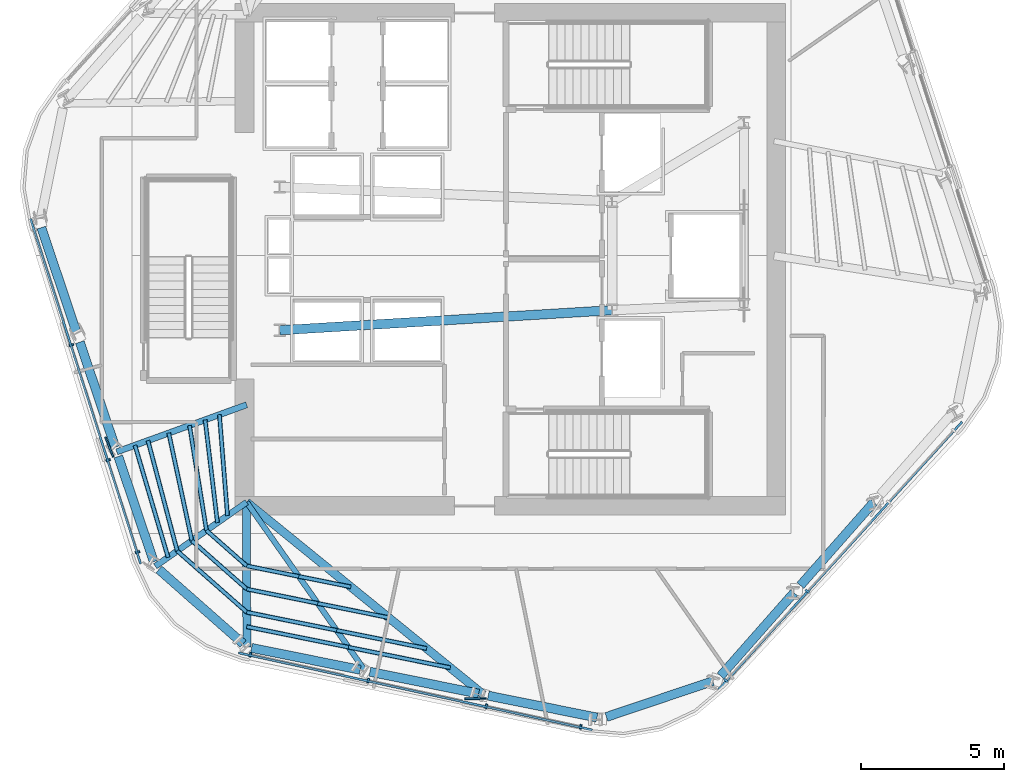
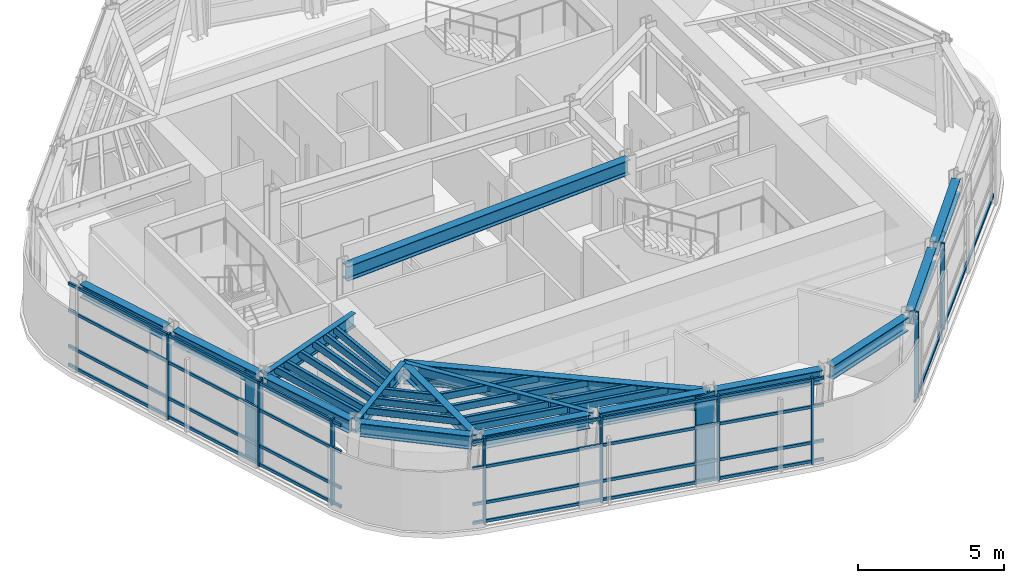
# One storey, part 2 of 13: 37 members, 16 beams, 3 elements without a shape of their own.
"""IFC4 building model written with IfcOpenShell, lengths in metres."""

from ifc_helpers import new_model, si_unit, direction, frame, origin, origin_2d, place, context, subcontext, project, spatial, rectangle, hollow_rectangle, i_section, extrude, material, layer, layer_set, material_profile, profile_set, type_object, element, aggregate, save


model = new_model("IFC4")

# Units and contexts
model_context = context("Model", 3, precision=1e-05, world=origin(), true_north=direction((0.0, 1.0)))
body_context = subcontext(model_context, "Body", "Model", "MODEL_VIEW")
ifc_project = project(units=[si_unit("LENGTHUNIT", "METRE"), si_unit("AREAUNIT", "SQUARE_METRE"), si_unit("VOLUMEUNIT", "CUBIC_METRE"), si_unit("PLANEANGLEUNIT", "RADIAN"), si_unit("MASSUNIT", "GRAM", prefix="KILO")], contexts=[model_context])

# Site, building, storey
site_placement = place(None, origin())
site = spatial("IfcSite", under=ifc_project, at=site_placement, CompositionType="ELEMENT")
building_placement = place(site_placement, origin())
building = spatial("IfcBuilding", under=site, at=building_placement, Name="Valkerne Bourse Tower", CompositionType="ELEMENT")
storey_placement = place(building_placement, frame((0.0, 0.0, 228.39990234375)))
storey = spatial("IfcBuildingStorey", under=building, at=storey_placement, Name="L58", CompositionType="ELEMENT", Elevation=228.39990234375)

# Beams
ifc_material_1 = material(Name="Steel ASTM A992", Category="steel")
ifc_material_profile_1 = material_profile(ifc_material_1, i_section(OverallWidth=0.1904296875, OverallDepth=0.457275390625, WebThickness=0.009033203125, FlangeThickness=0.014404296875, FilletRadius=0.01513671875, at=origin_2d()), Name="W18X50")
ifc_profile_set_1 = profile_set([ifc_material_profile_1], Name="Steel ASTM A992")
beam_type_1 = type_object("IfcBeamType", Name="BM-W18X50", PredefinedType="JOIST", material=ifc_profile_set_1)
beam_1_placement = place(storey_placement, frame((41.7314453125, 12.517333984375, 3.37158203125), z_axis=(-0.574726736059, 0.818345390932, 0.0), x_axis=(-0.818345390932, -0.574726736059, 0.0)))
element("IfcBeam", 1, at=beam_1_placement, inside=storey, type_object=beam_type_1, Name="L58 Radial Composite Floor Beam 13", PredefinedType="JOIST", context=body_context, shape_type="SweptSolid", body=[
    extrude(i_section(OverallWidth=0.1904296875, OverallDepth=0.457275390625, WebThickness=0.009033203125, FlangeThickness=0.014404296875, FilletRadius=0.01513671875, at=origin_2d()), origin(), (0.0, 0.0, 1.0), 7.1884765625),
])
ifc_material_profile_2 = material_profile(ifc_material_1, i_section(OverallWidth=0.279296875, OverallDepth=0.46240234375, WebThickness=0.0107421875, FlangeThickness=0.017333984375, FilletRadius=0.017822265625, at=origin_2d()), Name="W18X76")
ifc_profile_set_2 = profile_set([ifc_material_profile_2], Name="Steel ASTM A992")
beam_type_2 = type_object("IfcBeamType", Name="BM-W18X76", PredefinedType="BEAM", material=ifc_profile_set_2)
beam_2_placement = place(storey_placement, frame((37.6025390625, 13.349853515625, 3.368896484375), z_axis=(-0.000483442051, 0.999999883142, 0.0), x_axis=(-0.999999883142, -0.000483442051, 0.0)))
element("IfcBeam", 2, at=beam_2_placement, inside=storey, type_object=beam_type_2, Name="L58 Radial Composite Floor Beam 12", PredefinedType="BEAM", context=body_context, shape_type="SweptSolid", body=[
    extrude(i_section(OverallWidth=0.279296875, OverallDepth=0.46240234375, WebThickness=0.0107421875, FlangeThickness=0.017333984375, FilletRadius=0.017822265625, at=origin_2d()), origin(), (0.0, 0.0, 1.0), 5.050048828125),
])
ifc_material_profile_3 = material_profile(ifc_material_1, i_section(OverallWidth=0.31494140625, OverallDepth=0.5537109375, WebThickness=0.0166015625, FlangeThickness=0.026123046875, FilletRadius=0.020263671875, at=origin_2d()), Name="W21X132")
ifc_profile_set_3 = profile_set([ifc_material_profile_3], Name="Steel ASTM A992")
beam_type_3 = type_object("IfcBeamType", Name="BM-W21X132", PredefinedType="BEAM", material=ifc_profile_set_3)
for number, where, z_axis, x_axis, name in (
    (3, (30.43408203125, 27.97900390625, 3.3232421875), (0.318988173822, -0.947758695535, 0.0), (0.947758695535, 0.318988173822, 0.0), "L58 Hexagonal Spandrel Ring Beam 08"),
    (4, (31.777587890625, 23.987060546875, 3.3232421875), (0.318988173822, -0.947758695535, 0.0), (0.947758695535, 0.318988173822, 0.0), "L58 Hexagonal Spandrel Ring Beam 09"),
    (5, (33.12109375, 19.9951171875, 3.3232421875), (0.31896911229, -0.947765110882, 0.0), (0.947765110882, 0.31896911229, 0.0), "L58 Hexagonal Spandrel Ring Beam 10"),
):
    element("IfcBeam", number, at=place(storey_placement, frame(where, z_axis=z_axis, x_axis=x_axis)), inside=storey, type_object=beam_type_3, Name=name, PredefinedType="BEAM", context=body_context, shape_type="SweptSolid", body=[
        extrude(i_section(OverallWidth=0.31494140625, OverallDepth=0.5537109375, WebThickness=0.0166015625, FlangeThickness=0.026123046875, FilletRadius=0.020263671875, at=origin_2d()), origin(), (0.0, 0.0, 1.0), 3.8720703125),
    ])
beam_3_placement = place(storey_placement, frame((34.537841796875, 16.0517578125, 3.3232421875), z_axis=(0.750134367688, -0.661285437927, 0.0), x_axis=(0.661285437927, 0.750134367688, 0.0)))
element("IfcBeam", 6, at=beam_3_placement, inside=storey, type_object=beam_type_3, Name="L58 Hexagonal Spandrel Ring Beam 11", PredefinedType="BEAM", context=body_context, shape_type="SweptSolid", body=[
    extrude(i_section(OverallWidth=0.31494140625, OverallDepth=0.5537109375, WebThickness=0.0166015625, FlangeThickness=0.026123046875, FilletRadius=0.020263671875, at=origin_2d()), origin(), (0.0, 0.0, 1.0), 3.91552734375),
])
for number, where, z_axis, x_axis, name in (
    (7, (37.76904296875, 13.31640625, 3.3232421875), (0.980269037693, -0.19766793807, 0.0), (0.19766793807, 0.980269037693, 0.0), "L58 Hexagonal Spandrel Ring Beam 12"),
    (8, (41.89794921875, 12.48388671875, 3.3232421875), (0.980269037693, -0.19766793807, 0.0), (0.19766793807, 0.980269037693, 0.0), "L58 Hexagonal Spandrel Ring Beam 13"),
    (9, (46.02685546875, 11.651123046875, 3.3232421875), (0.980281253412, -0.197607348568, 0.0), (0.197607348568, 0.980281253412, 0.0), "L58 Hexagonal Spandrel Ring Beam 14"),
):
    element("IfcBeam", number, at=place(storey_placement, frame(where, z_axis=z_axis, x_axis=x_axis)), inside=storey, type_object=beam_type_3, Name=name, PredefinedType="BEAM", context=body_context, shape_type="SweptSolid", body=[
        extrude(i_section(OverallWidth=0.31494140625, OverallDepth=0.5537109375, WebThickness=0.0166015625, FlangeThickness=0.026123046875, FilletRadius=0.020263671875, at=origin_2d()), origin(), (0.0, 0.0, 1.0), 3.8720703125),
    ])
beam_4_placement = place(storey_placement, frame((50.150390625, 10.906494140625, 3.3232421875), z_axis=(0.947762787395, 0.318976016072, 0.0), x_axis=(-0.318976016072, 0.947762787395, 0.0)))
element("IfcBeam", 10, at=beam_4_placement, inside=storey, type_object=beam_type_3, Name="L58 Hexagonal Spandrel Ring Beam 15", PredefinedType="BEAM", context=body_context, shape_type="SweptSolid", body=[
    extrude(i_section(OverallWidth=0.31494140625, OverallDepth=0.5537109375, WebThickness=0.0166015625, FlangeThickness=0.026123046875, FilletRadius=0.020263671875, at=origin_2d()), origin(), (0.0, 0.0, 1.0), 3.915771484375),
])
beam_5_placement = place(storey_placement, frame((54.135009765625, 12.337158203125, 3.3232421875), z_axis=(0.661289997078, 0.750130348516, 0.0), x_axis=(-0.750130348516, 0.661289997078, 0.0)))
element("IfcBeam", 11, at=beam_5_placement, inside=storey, type_object=beam_type_3, Name="L58 Hexagonal Spandrel Ring Beam 16", PredefinedType="BEAM", context=body_context, shape_type="SweptSolid", body=[
    extrude(i_section(OverallWidth=0.31494140625, OverallDepth=0.5537109375, WebThickness=0.0166015625, FlangeThickness=0.026123046875, FilletRadius=0.020263671875, at=origin_2d()), origin(), (0.0, 0.0, 1.0), 3.8720703125),
])
beam_6_placement = place(storey_placement, frame((56.92041015625, 15.49658203125, 3.3232421875), z_axis=(0.661325473971, 0.750099071774, 0.0), x_axis=(-0.750099071774, 0.661325473971, 0.0)))
element("IfcBeam", 12, at=beam_6_placement, inside=storey, type_object=beam_type_3, Name="L58 Hexagonal Spandrel Ring Beam 17", PredefinedType="BEAM", context=body_context, shape_type="SweptSolid", body=[
    extrude(i_section(OverallWidth=0.31494140625, OverallDepth=0.5537109375, WebThickness=0.0166015625, FlangeThickness=0.026123046875, FilletRadius=0.020263671875, at=origin_2d()), origin(), (0.0, 0.0, 1.0), 3.872314453125),
])
ifc_material_profile_4 = material_profile(ifc_material_1, i_section(OverallWidth=0.209228515625, OverallDepth=0.533447265625, WebThickness=0.01025390625, FlangeThickness=0.015625, FilletRadius=0.017822265625, at=origin_2d()), Name="W21X62")
ifc_profile_set_4 = profile_set([ifc_material_profile_4], Name="Steel ASTM A992")
beam_type_4 = type_object("IfcBeamType", Name="BM-W21X62", PredefinedType="JOIST", material=ifc_profile_set_4)
beam_7_placement = place(storey_placement, frame((34.410400390625, 16.164306640625, 3.33349609375), z_axis=(0.818893146126, 0.573946003756, 0.0), x_axis=(-0.573946003756, 0.818893146126, 0.0)))
element("IfcBeam", 13, at=beam_7_placement, inside=storey, type_object=beam_type_4, Name="L58 Radial Composite Floor Beam 11", PredefinedType="JOIST", context=body_context, shape_type="SweptSolid", body=[
    extrude(i_section(OverallWidth=0.209228515625, OverallDepth=0.533447265625, WebThickness=0.01025390625, FlangeThickness=0.015625, FilletRadius=0.017822265625, at=origin_2d()), origin(), (0.0, 0.0, 1.0), 3.89501953125),
])
ifc_material_profile_5 = material_profile(ifc_material_1, i_section(OverallWidth=0.2138671875, OverallDepth=0.548583984375, WebThickness=0.0146484375, FlangeThickness=0.023681640625, FilletRadius=0.017822265625, at=origin_2d()), Name="W21X93")
ifc_profile_set_5 = profile_set([ifc_material_profile_5], Name="Steel ASTM A992")
beam_type_5 = type_object("IfcBeamType", Name="BM-W21X93", PredefinedType="BEAM", material=ifc_profile_set_5)
beam_8_placement = place(storey_placement, frame((33.06689453125, 20.15625, 3.32568359375), z_axis=(0.940101994667, 0.340893296537, 0.0), x_axis=(-0.340893296537, 0.940101994667, 0.0)))
element("IfcBeam", 14, at=beam_8_placement, inside=storey, type_object=beam_type_5, Name="L58 Radial Composite Floor Beam 10", PredefinedType="BEAM", context=body_context, shape_type="SweptSolid", body=[
    extrude(i_section(OverallWidth=0.2138671875, OverallDepth=0.548583984375, WebThickness=0.0146484375, FlangeThickness=0.023681640625, FilletRadius=0.017822265625, at=origin_2d()), origin(), (0.0, 0.0, 1.0), 4.822021484375),
])
ifc_material_profile_6 = material_profile(ifc_material_1, i_section(OverallWidth=0.3251953125, OverallDepth=0.612060546875, WebThickness=0.0126953125, FlangeThickness=0.01904296875, FilletRadius=0.020263671875, at=origin_2d()), Name="W24X104")
ifc_profile_set_6 = profile_set([ifc_material_profile_6], Name="Steel ASTM A992")
beam_type_6 = type_object("IfcBeamType", Name="BM-W24X104", PredefinedType="BEAM", material=ifc_profile_set_6)
beam_9_placement = place(storey_placement, frame((38.75, 24.39990234375, 3.294189453125), z_axis=(0.998183228389, 0.060251494276, 0.0), x_axis=(-0.060251494276, 0.998183228389, 0.0)))
element("IfcBeam", 15, at=beam_9_placement, inside=storey, type_object=beam_type_6, Name="L58 Core Frame Girder CG-SW", PredefinedType="BEAM", context=body_context, shape_type="SweptSolid", body=[
    extrude(i_section(OverallWidth=0.3251953125, OverallDepth=0.612060546875, WebThickness=0.0126953125, FlangeThickness=0.01904296875, FilletRadius=0.020263671875, at=origin_2d()), origin(), (0.0, 0.0, 1.0), 11.62109375),
])
ifc_material_profile_7 = material_profile(ifc_material_1, i_section(OverallWidth=0.2919921875, OverallDepth=0.8583984375, WebThickness=0.01708984375, FlangeThickness=0.031005859375, FilletRadius=0.025390625, at=origin_2d()), Name="W33X169")
ifc_profile_set_7 = profile_set([ifc_material_profile_7], Name="Steel ASTM A992")
beam_type_7 = type_object("IfcBeamType", Name="BM-W33X169", PredefinedType="BEAM", material=ifc_profile_set_7)
beam_10_placement = place(storey_placement, frame((45.8603515625, 11.684814453125, 3.1708984375), z_axis=(-0.775947013811, 0.630798091118, 0.0), x_axis=(-0.630798091118, -0.775947013811, 0.0)))
element("IfcBeam", 16, at=beam_10_placement, inside=storey, type_object=beam_type_7, Name="L58 Radial Composite Floor Beam 14", PredefinedType="BEAM", context=body_context, shape_type="SweptSolid", body=[
    extrude(i_section(OverallWidth=0.2919921875, OverallDepth=0.8583984375, WebThickness=0.01708984375, FlangeThickness=0.031005859375, FilletRadius=0.025390625, at=origin_2d()), origin(), (0.0, 0.0, 1.0), 10.645263671875),
])

# Curtain wall, members
ifc_material_2 = material(Name="Aluminium AA 6063-T6", Category="aluminium")
ifc_layer = layer(ifc_material_2, 0.239990234375)
ifc_layer_set = layer_set([ifc_layer], Name="Aluminium AA 6063-T6")
curtain_wall_type = type_object("IfcCurtainWallType", Name="CW-04", PredefinedType="NOTDEFINED", material=ifc_layer_set)
curtain_wall_1_placement = place(storey_placement, origin())
curtain_wall_1 = element("IfcCurtainWall", 17, at=curtain_wall_1_placement, inside=storey, type_object=curtain_wall_type, Name="L58 Hexagonal Stick Curtain Wall Face 3", PredefinedType="NOTDEFINED")
ifc_material_profile_8 = material_profile(ifc_material_2, rectangle(XDim=0.074951171875, YDim=0.159912109375, at=origin_2d()), Name="CWM-75X160")
ifc_profile_set_8 = profile_set([ifc_material_profile_8], Name="Aluminium AA 6063-T6")
member_type_1 = type_object("IfcMemberType", Name="CW-MUL-160X75", PredefinedType="MULLION", material=ifc_profile_set_8)
member_1_placement = place(storey_placement, frame((31.484130859375, 23.8818359375, 0.0), z_axis=(0.0, 0.0, 1.0), x_axis=(0.304036506204, -0.952660381718, 0.0)))
member_1 = element("IfcMember", 18, at=member_1_placement, type_object=member_type_1, Name="CW-L58-F3 Jamb Mullion 01A", PredefinedType="MULLION", context=body_context, shape_type="SweptSolid", body=[
    extrude(rectangle(XDim=0.074951171875, YDim=0.159912109375, at=origin_2d()), origin(), (0.0, 0.0, 1.0), 3.60009765625),
])
member_2_placement = place(storey_placement, frame((32.764892578125, 19.869384765625, 0.0), z_axis=(0.0, 0.0, 1.0), x_axis=(0.304036506204, -0.952660381718, 0.0)))
member_2 = element("IfcMember", 19, at=member_2_placement, type_object=member_type_1, Name="CW-L58-F3 Jamb Mullion 02A", PredefinedType="MULLION", context=body_context, shape_type="SweptSolid", body=[
    extrude(rectangle(XDim=0.074951171875, YDim=0.159912109375, at=origin_2d()), origin(), (0.0, 0.0, 1.0), 3.60009765625),
])
member_3_placement = place(storey_placement, frame((33.7900390625, 16.656982421875, 0.0), z_axis=(0.0, 0.0, 1.0), x_axis=(0.304036506204, -0.952660381718, 0.0)))
member_3 = element("IfcMember", 20, at=member_3_placement, type_object=member_type_1, Name="CW-L58-F3 Jamb Mullion 02B", PredefinedType="MULLION", context=body_context, shape_type="SweptSolid", body=[
    extrude(rectangle(XDim=0.074951171875, YDim=0.159912109375, at=origin_2d()), origin(), (0.0, 0.0, 1.0), 3.60009765625),
])

curtain_wall_2_placement = place(storey_placement, origin())
curtain_wall_2 = element("IfcCurtainWall", 21, at=curtain_wall_2_placement, inside=storey, type_object=curtain_wall_type, Name="L58 Hexagonal Stick Curtain Wall Face 4", PredefinedType="NOTDEFINED")
member_4_placement = place(storey_placement, frame((37.72705078125, 13.074462890625, 0.0), z_axis=(0.0, 0.0, 1.0), x_axis=(0.977044611167, -0.213034804174, 0.0)))
member_4 = element("IfcMember", 22, at=member_4_placement, type_object=member_type_1, Name="CW-L58-F4 Jamb Mullion 00A", PredefinedType="MULLION", context=body_context, shape_type="SweptSolid", body=[
    extrude(rectangle(XDim=0.074951171875, YDim=0.159912109375, at=origin_2d()), origin(), (0.0, 0.0, 1.0), 3.60009765625),
])
member_5_placement = place(storey_placement, frame((41.84228515625, 12.177001953125, 0.0), z_axis=(0.0, 0.0, 1.0), x_axis=(0.977045688621, -0.213029862571, 0.0)))
member_5 = element("IfcMember", 23, at=member_5_placement, type_object=member_type_1, Name="CW-L58-F4 Jamb Mullion 01A", PredefinedType="MULLION", context=body_context, shape_type="SweptSolid", body=[
    extrude(rectangle(XDim=0.074951171875, YDim=0.159912109375, at=origin_2d()), origin(), (0.0, 0.0, 1.0), 3.60009765625),
])
member_6_placement = place(storey_placement, frame((45.957763671875, 11.27978515625, 0.0), z_axis=(0.0, 0.0, 1.0), x_axis=(0.977044611167, -0.213034804174, 0.0)))
member_6 = element("IfcMember", 24, at=member_6_placement, type_object=member_type_1, Name="CW-L58-F4 Jamb Mullion 02A", PredefinedType="MULLION", context=body_context, shape_type="SweptSolid", body=[
    extrude(rectangle(XDim=0.074951171875, YDim=0.159912109375, at=origin_2d()), origin(), (0.0, 0.0, 1.0), 3.60009765625),
])
member_7_placement = place(storey_placement, frame((49.25244140625, 10.5615234375, 0.0), z_axis=(0.0, 0.0, 1.0), x_axis=(0.977044611167, -0.213034804174, 0.0)))
member_7 = element("IfcMember", 25, at=member_7_placement, type_object=member_type_1, Name="CW-L58-F4 Jamb Mullion 02B", PredefinedType="MULLION", context=body_context, shape_type="SweptSolid", body=[
    extrude(rectangle(XDim=0.074951171875, YDim=0.159912109375, at=origin_2d()), origin(), (0.0, 0.0, 1.0), 3.60009765625),
])

curtain_wall_3_placement = place(storey_placement, origin())
curtain_wall_3 = element("IfcCurtainWall", 26, at=curtain_wall_3_placement, inside=storey, type_object=curtain_wall_type, Name="L58 Hexagonal Stick Curtain Wall Face 5", PredefinedType="NOTDEFINED")
member_8_placement = place(storey_placement, frame((54.323486328125, 12.179931640625, 0.0), z_axis=(0.0, 0.0, 1.0), x_axis=(0.673011878103, 0.739631673154, 0.0)))
member_8 = element("IfcMember", 27, at=member_8_placement, type_object=member_type_1, Name="CW-L58-F5 Jamb Mullion 00A", PredefinedType="MULLION", context=body_context, shape_type="SweptSolid", body=[
    extrude(rectangle(XDim=0.074951171875, YDim=0.159912109375, at=origin_2d()), origin(), (0.0, 0.0, 1.0), 3.60009765625),
])
member_9_placement = place(storey_placement, frame((57.158203125, 15.295166015625, 0.0), z_axis=(0.0, 0.0, 1.0), x_axis=(0.673011878103, 0.739631673154, 0.0)))
member_9 = element("IfcMember", 28, at=member_9_placement, type_object=member_type_1, Name="CW-L58-F5 Jamb Mullion 01A", PredefinedType="MULLION", context=body_context, shape_type="SweptSolid", body=[
    extrude(rectangle(XDim=0.074951171875, YDim=0.159912109375, at=origin_2d()), origin(), (0.0, 0.0, 1.0), 3.60009765625),
])

# Member
ifc_material_profile_9 = material_profile(ifc_material_2, rectangle(XDim=0.074951171875, YDim=0.1201171875, at=origin_2d()), Name="CWT-75X120")
ifc_profile_set_9 = profile_set([ifc_material_profile_9], Name="Aluminium AA 6063-T6")
member_type_2 = type_object("IfcMemberType", Name="CW-TRN-120X75", PredefinedType="USERDEFINED", material=ifc_profile_set_9)
member_10_placement = place(storey_placement, frame((30.056884765625, 28.28857421875, 0.1201171875), z_axis=(0.304035323693, -0.952660759109, 0.0), x_axis=(0.952660759109, 0.304035323693, 0.0)))
member_10 = element("IfcMember", 29, at=member_10_placement, type_object=member_type_2, Name="CW-L58-F3 Continuous Face Transom 1", ObjectType="TRANSOM", PredefinedType="USERDEFINED", context=body_context, shape_type="SweptSolid", body=[
    extrude(rectangle(XDim=0.074951171875, YDim=0.1201171875, at=origin_2d()), origin(), (0.0, 0.0, 1.0), 12.635986328125),
])

member_11_placement = place(storey_placement, frame((30.056884765625, 28.28857421875, 0.900146484375), z_axis=(0.304035323693, -0.952660759109, 0.0), x_axis=(0.952660759109, 0.304035323693, 0.0)))
member_11 = element("IfcMember", 30, at=member_11_placement, type_object=member_type_2, Name="CW-L58-F3 Continuous Face Transom 2", ObjectType="TRANSOM", PredefinedType="USERDEFINED", context=body_context, shape_type="SweptSolid", body=[
    extrude(rectangle(XDim=0.074951171875, YDim=0.1201171875, at=origin_2d()), origin(), (0.0, 0.0, 1.0), 12.635986328125),
])

member_12_placement = place(storey_placement, frame((30.056884765625, 28.28857421875, 2.400146484375), z_axis=(0.304035323693, -0.952660759109, 0.0), x_axis=(0.952660759109, 0.304035323693, 0.0)))
member_12 = element("IfcMember", 31, at=member_12_placement, type_object=member_type_2, Name="CW-L58-F3 Continuous Face Transom 3", ObjectType="TRANSOM", PredefinedType="USERDEFINED", context=body_context, shape_type="SweptSolid", body=[
    extrude(rectangle(XDim=0.074951171875, YDim=0.1201171875, at=origin_2d()), origin(), (0.0, 0.0, 1.0), 12.635986328125),
])

member_13_placement = place(storey_placement, frame((30.056884765625, 28.28857421875, 3.52001953125), z_axis=(0.304035323693, -0.952660759109, 0.0), x_axis=(0.952660759109, 0.304035323693, 0.0)))
member_13 = element("IfcMember", 32, at=member_13_placement, type_object=member_type_2, Name="CW-L58-F3 Continuous Face Transom 4", ObjectType="TRANSOM", PredefinedType="USERDEFINED", context=body_context, shape_type="SweptSolid", body=[
    extrude(rectangle(XDim=0.074951171875, YDim=0.1201171875, at=origin_2d()), origin(), (0.0, 0.0, 1.0), 12.635986328125),
])

aggregate(curtain_wall_1, [member_10, member_11, member_12, member_13, member_1, member_2, member_3])

member_14_placement = place(storey_placement, frame((37.3125, 13.144287109375, 0.1201171875), z_axis=(0.977044871011, -0.213033612446, 0.0), x_axis=(0.213033612446, 0.977044871011, 0.0)))
member_14 = element("IfcMember", 33, at=member_14_placement, type_object=member_type_2, Name="CW-L58-F4 Continuous Face Transom 1", ObjectType="TRANSOM", PredefinedType="USERDEFINED", context=body_context, shape_type="SweptSolid", body=[
    extrude(rectangle(XDim=0.074951171875, YDim=0.1201171875, at=origin_2d()), origin(), (0.0, 0.0, 1.0), 12.635986328125),
])

member_15_placement = place(storey_placement, frame((37.3125, 13.144287109375, 0.900146484375), z_axis=(0.977044871011, -0.213033612446, 0.0), x_axis=(0.213033612446, 0.977044871011, 0.0)))
member_15 = element("IfcMember", 34, at=member_15_placement, type_object=member_type_2, Name="CW-L58-F4 Continuous Face Transom 2", ObjectType="TRANSOM", PredefinedType="USERDEFINED", context=body_context, shape_type="SweptSolid", body=[
    extrude(rectangle(XDim=0.074951171875, YDim=0.1201171875, at=origin_2d()), origin(), (0.0, 0.0, 1.0), 12.635986328125),
])

member_16_placement = place(storey_placement, frame((37.3125, 13.144287109375, 2.400146484375), z_axis=(0.977044871011, -0.213033612446, 0.0), x_axis=(0.213033612446, 0.977044871011, 0.0)))
member_16 = element("IfcMember", 35, at=member_16_placement, type_object=member_type_2, Name="CW-L58-F4 Continuous Face Transom 3", ObjectType="TRANSOM", PredefinedType="USERDEFINED", context=body_context, shape_type="SweptSolid", body=[
    extrude(rectangle(XDim=0.074951171875, YDim=0.1201171875, at=origin_2d()), origin(), (0.0, 0.0, 1.0), 12.635986328125),
])

member_17_placement = place(storey_placement, frame((37.3125, 13.144287109375, 3.52001953125), z_axis=(0.977044871011, -0.213033612446, 0.0), x_axis=(0.213033612446, 0.977044871011, 0.0)))
member_17 = element("IfcMember", 36, at=member_17_placement, type_object=member_type_2, Name="CW-L58-F4 Continuous Face Transom 4", ObjectType="TRANSOM", PredefinedType="USERDEFINED", context=body_context, shape_type="SweptSolid", body=[
    extrude(rectangle(XDim=0.074951171875, YDim=0.1201171875, at=origin_2d()), origin(), (0.0, 0.0, 1.0), 12.635986328125),
])

aggregate(curtain_wall_2, [member_14, member_15, member_16, member_17, member_4, member_5, member_6, member_7])

member_18_placement = place(storey_placement, frame((54.0556640625, 11.855712890625, 0.1201171875), z_axis=(0.673012197714, 0.73963138233, 0.0), x_axis=(-0.73963138233, 0.673012197714, 0.0)))
member_18 = element("IfcMember", 37, at=member_18_placement, type_object=member_type_2, Name="CW-L58-F5 Continuous Face Transom 1", ObjectType="TRANSOM", PredefinedType="USERDEFINED", context=body_context, shape_type="SweptSolid", body=[
    extrude(rectangle(XDim=0.074951171875, YDim=0.1201171875, at=origin_2d()), origin(), (0.0, 0.0, 1.0), 12.635986328125),
])

aggregate(curtain_wall_3, [member_18, member_8, member_9])

# Members
ifc_material_3 = material(Name="Bronze Anodised Aluminium AA 6063-T6", Category="aluminium")
ifc_material_profile_10 = material_profile(ifc_material_3, rectangle(XDim=0.06494140625, YDim=0.75, at=origin_2d()), Name="FIN-65X750")
ifc_profile_set_10 = profile_set([ifc_material_profile_10], Name="Bronze Anodised Aluminium AA 6063-T6")
member_type_3 = type_object("IfcMemberType", Name="FIN-SOLAR-650", PredefinedType="USERDEFINED", material=ifc_profile_set_10)
for number, where, z_axis, x_axis, name in (
    (38, (32.80859375, 20.32421875, 0.004150390625), (0.0, 0.0, 1.0), (-0.931989729653, -0.36248468081, 0.0), "L58 Bronze Anodised Solar Fin F3-02"),
    (39, (45.585693359375, 11.545166015625, 0.004150390625), (0.0, 0.0, 1.0), (0.021003982951, -0.999779392016, 0.0), "L58 Bronze Anodised Solar Fin F4-02"),
):
    element("IfcMember", number, at=place(storey_placement, frame(where, z_axis=z_axis, x_axis=x_axis)), inside=storey, type_object=member_type_3, Name=name, ObjectType="SOLAR_FIN", PredefinedType="USERDEFINED", context=body_context, shape_type="SweptSolid", body=[
        extrude(rectangle(XDim=0.06494140625, YDim=0.75, at=origin_2d()), origin(), (0.0, 0.0, 1.0), 3.592041015625),
    ])
ifc_material_4 = material(Name="Steel ASTM A500 Grade C", Category="steel")
ifc_material_profile_11 = material_profile(ifc_material_4, hollow_rectangle(XDim=0.14990234375, YDim=0.300048828125, WallThickness=0.012451171875, OuterFilletRadius=0.02490234375, at=origin_2d()), Name="HSS300X150X12.5")
ifc_profile_set_11 = profile_set([ifc_material_profile_11], Name="Steel ASTM A500 Grade C")
member_type_4 = type_object("IfcMemberType", Name="MBR-HSS300X150X12.5", PredefinedType="PURLIN", material=ifc_profile_set_11)
member_19_placement = place(storey_placement, frame((36.1494140625, 21.27392578125, 3.440185546875), z_axis=(0.118929509911, -0.992902700003, 0.0), x_axis=(0.992902700003, 0.118929509911, 0.0)))
element("IfcMember", 40, at=member_19_placement, inside=storey, type_object=member_type_4, Name="L58 Secondary Composite Floor Purlin I-10", PredefinedType="PURLIN", context=body_context, shape_type="SweptSolid", body=[
    extrude(hollow_rectangle(XDim=0.14990234375, YDim=0.300048828125, WallThickness=0.012451171875, OuterFilletRadius=0.02490234375, at=origin_2d()), origin(), (0.0, 0.0, 1.0), 3.614990234375),
])
member_20_placement = place(storey_placement, frame((35.60546875, 21.07666015625, 3.440185546875), z_axis=(0.159410471193, -0.987212389344, 0.0), x_axis=(0.987212389344, 0.159410471193, 0.0)))
element("IfcMember", 41, at=member_20_placement, inside=storey, type_object=member_type_4, Name="L58 Secondary Composite Floor Purlin K-10", PredefinedType="PURLIN", context=body_context, shape_type="SweptSolid", body=[
    extrude(hollow_rectangle(XDim=0.14990234375, YDim=0.300048828125, WallThickness=0.012451171875, OuterFilletRadius=0.02490234375, at=origin_2d()), origin(), (0.0, 0.0, 1.0), 3.707763671875),
])
member_21_placement = place(storey_placement, frame((36.196533203125, 17.416259765625, 3.440185546875), z_axis=(0.750107949642, -0.661315404239, 0.0), x_axis=(0.661315404239, 0.750107949642, 0.0)))
element("IfcMember", 42, at=member_21_placement, inside=storey, type_object=member_type_4, Name="L58 Secondary Composite Floor Purlin K-11", PredefinedType="PURLIN", context=body_context, shape_type="SweptSolid", body=[
    extrude(hollow_rectangle(XDim=0.14990234375, YDim=0.300048828125, WallThickness=0.012451171875, OuterFilletRadius=0.02490234375, at=origin_2d()), origin(), (0.0, 0.0, 1.0), 1.87255859375),
])
member_22_placement = place(storey_placement, frame((37.60107421875, 16.177978515625, 3.440185546875), z_axis=(0.98028058698, -0.197610654545, 0.0), x_axis=(0.197610654545, 0.98028058698, 0.0)))
element("IfcMember", 43, at=member_22_placement, inside=storey, type_object=member_type_4, Name="L58 Secondary Composite Floor Purlin K-12", PredefinedType="PURLIN", context=body_context, shape_type="SweptSolid", body=[
    extrude(hollow_rectangle(XDim=0.14990234375, YDim=0.300048828125, WallThickness=0.012451171875, OuterFilletRadius=0.02490234375, at=origin_2d()), origin(), (0.0, 0.0, 1.0), 1.853271484375),
])
member_23_placement = place(storey_placement, frame((39.417724609375, 15.811767578125, 3.440185546875), z_axis=(0.98026020944, -0.197711713836, 0.0), x_axis=(0.197711713836, 0.98026020944, 0.0)))
element("IfcMember", 44, at=member_23_placement, inside=storey, type_object=member_type_4, Name="L58 Secondary Composite Floor Purlin K-13", PredefinedType="PURLIN", context=body_context, shape_type="SweptSolid", body=[
    extrude(hollow_rectangle(XDim=0.14990234375, YDim=0.300048828125, WallThickness=0.012451171875, OuterFilletRadius=0.02490234375, at=origin_2d()), origin(), (0.0, 0.0, 1.0), 1.853515625),
])
member_24_placement = place(storey_placement, frame((34.15478515625, 20.55078125, 3.440185546875), z_axis=(0.256327184329, -0.966590075768, 0.0), x_axis=(0.966590075768, 0.256327184329, 0.0)))
element("IfcMember", 45, at=member_24_placement, inside=storey, type_object=member_type_4, Name="L58 Secondary Composite Floor Purlin O-10", PredefinedType="PURLIN", context=body_context, shape_type="SweptSolid", body=[
    extrude(hollow_rectangle(XDim=0.14990234375, YDim=0.300048828125, WallThickness=0.012451171875, OuterFilletRadius=0.02490234375, at=origin_2d()), origin(), (0.0, 0.0, 1.0), 3.983154296875),
])
member_25_placement = place(storey_placement, frame((35.17578125, 16.70068359375, 3.440185546875), z_axis=(0.750135183164, -0.661284512883, 0.0), x_axis=(0.661284512883, 0.750135183164, 0.0)))
element("IfcMember", 46, at=member_25_placement, inside=storey, type_object=member_type_4, Name="L58 Secondary Composite Floor Purlin O-11", PredefinedType="PURLIN", context=body_context, shape_type="SweptSolid", body=[
    extrude(hollow_rectangle(XDim=0.14990234375, YDim=0.300048828125, WallThickness=0.012451171875, OuterFilletRadius=0.02490234375, at=origin_2d()), origin(), (0.0, 0.0, 1.0), 3.234130859375),
])
member_26_placement = place(storey_placement, frame((37.601806640625, 14.56201171875, 3.440185546875), z_axis=(0.980268530135, -0.19767045512, 0.0), x_axis=(0.19767045512, 0.980268530135, 0.0)))
element("IfcMember", 47, at=member_26_placement, inside=storey, type_object=member_type_4, Name="L58 Secondary Composite Floor Purlin O-12", PredefinedType="PURLIN", context=body_context, shape_type="SweptSolid", body=[
    extrude(hollow_rectangle(XDim=0.14990234375, YDim=0.300048828125, WallThickness=0.012451171875, OuterFilletRadius=0.02490234375, at=origin_2d()), origin(), (0.0, 0.0, 1.0), 3.201416015625),
])
member_27_placement = place(storey_placement, frame((40.739990234375, 13.92919921875, 3.440185546875), z_axis=(0.980262569154, -0.197700013947, 0.0), x_axis=(0.197700013947, 0.980262569154, 0.0)))
element("IfcMember", 48, at=member_27_placement, inside=storey, type_object=member_type_4, Name="L58 Secondary Composite Floor Purlin O-13", PredefinedType="PURLIN", context=body_context, shape_type="SweptSolid", body=[
    extrude(hollow_rectangle(XDim=0.14990234375, YDim=0.300048828125, WallThickness=0.012451171875, OuterFilletRadius=0.02490234375, at=origin_2d()), origin(), (0.0, 0.0, 1.0), 3.200927734375),
])
member_28_placement = place(storey_placement, frame((34.880126953125, 20.813720703125, 3.440185546875), z_axis=(0.20989807221, -0.977723273367, 0.0), x_axis=(0.977723273367, 0.20989807221, 0.0)))
element("IfcMember", 49, at=member_28_placement, inside=storey, type_object=member_type_4, Name="L58 Secondary Composite Floor Purlin Z-10", PredefinedType="PURLIN", context=body_context, shape_type="SweptSolid", body=[
    extrude(hollow_rectangle(XDim=0.14990234375, YDim=0.300048828125, WallThickness=0.012451171875, OuterFilletRadius=0.02490234375, at=origin_2d()), origin(), (0.0, 0.0, 1.0), 3.840576171875),
])
member_29_placement = place(storey_placement, frame((35.686279296875, 17.05859375, 3.440185546875), z_axis=(0.750077766646, -0.661349638227, 0.0), x_axis=(0.661349638227, 0.750077766646, 0.0)))
element("IfcMember", 50, at=member_29_placement, inside=storey, type_object=member_type_4, Name="L58 Secondary Composite Floor Purlin Z-11", PredefinedType="PURLIN", context=body_context, shape_type="SweptSolid", body=[
    extrude(hollow_rectangle(XDim=0.14990234375, YDim=0.300048828125, WallThickness=0.012451171875, OuterFilletRadius=0.02490234375, at=origin_2d()), origin(), (0.0, 0.0, 1.0), 2.553466796875),
])
for number, where, z_axis, x_axis, name in (
    (51, (37.6015625, 15.369873046875, 3.440185546875), (0.980271064052, -0.197657888741, 0.0), (0.197657888741, 0.980271064052, 0.0), "L58 Secondary Composite Floor Purlin Z-12"),
    (52, (40.078857421875, 14.870361328125, 3.440185546875), (0.980271064052, -0.197657888741, 0.0), (0.197657888741, 0.980271064052, 0.0), "L58 Secondary Composite Floor Purlin Z-13"),
):
    element("IfcMember", number, at=place(storey_placement, frame(where, z_axis=z_axis, x_axis=x_axis)), inside=storey, type_object=member_type_4, Name=name, PredefinedType="PURLIN", context=body_context, shape_type="SweptSolid", body=[
        extrude(hollow_rectangle(XDim=0.14990234375, YDim=0.300048828125, WallThickness=0.012451171875, OuterFilletRadius=0.02490234375, at=origin_2d()), origin(), (0.0, 0.0, 1.0), 2.527099609375),
    ])
member_30_placement = place(storey_placement, frame((36.64794921875, 21.454833984375, 3.440185546875), z_axis=(0.0798220665, -0.996809128018, 0.0), x_axis=(0.996809128018, 0.0798220665, 0.0)))
element("IfcMember", 53, at=member_30_placement, inside=storey, type_object=member_type_4, Name="L58 Secondary Composite Floor Purlin S-10", PredefinedType="PURLIN", context=body_context, shape_type="SweptSolid", body=[
    extrude(hollow_rectangle(XDim=0.14990234375, YDim=0.300048828125, WallThickness=0.012451171875, OuterFilletRadius=0.02490234375, at=origin_2d()), origin(), (0.0, 0.0, 1.0), 3.53564453125),
])
member_31_placement = place(storey_placement, frame((33.701416015625, 20.38623046875, 3.440185546875), z_axis=(0.283482601798, -0.958977379544, 0.0), x_axis=(0.958977379544, 0.283482601798, 0.0)))
element("IfcMember", 54, at=member_31_placement, inside=storey, type_object=member_type_4, Name="L58 Secondary Composite Floor Purlin T-10", PredefinedType="PURLIN", context=body_context, shape_type="SweptSolid", body=[
    extrude(hollow_rectangle(XDim=0.14990234375, YDim=0.300048828125, WallThickness=0.012451171875, OuterFilletRadius=0.02490234375, at=origin_2d()), origin(), (0.0, 0.0, 1.0), 4.076171875),
])
for number, where, z_axis, x_axis, name in (
    (55, (37.602294921875, 14.056884765625, 3.440185546875), (0.980278811216, -0.197619463317, 0.0), (0.197619463317, 0.980278811216, 0.0), "L58 Secondary Composite Floor Purlin T-12"),
    (56, (41.153076171875, 13.341064453125, 3.440185546875), (0.9802657522, -0.197684230693, 0.0), (0.197684230693, 0.9802657522, 0.0), "L58 Secondary Composite Floor Purlin T-13"),
):
    element("IfcMember", number, at=place(storey_placement, frame(where, z_axis=z_axis, x_axis=x_axis)), inside=storey, type_object=member_type_4, Name=name, PredefinedType="PURLIN", context=body_context, shape_type="SweptSolid", body=[
        extrude(hollow_rectangle(XDim=0.14990234375, YDim=0.300048828125, WallThickness=0.012451171875, OuterFilletRadius=0.02490234375, at=origin_2d()), origin(), (0.0, 0.0, 1.0), 3.622314453125),
    ])

save(model, "model.ifc")
